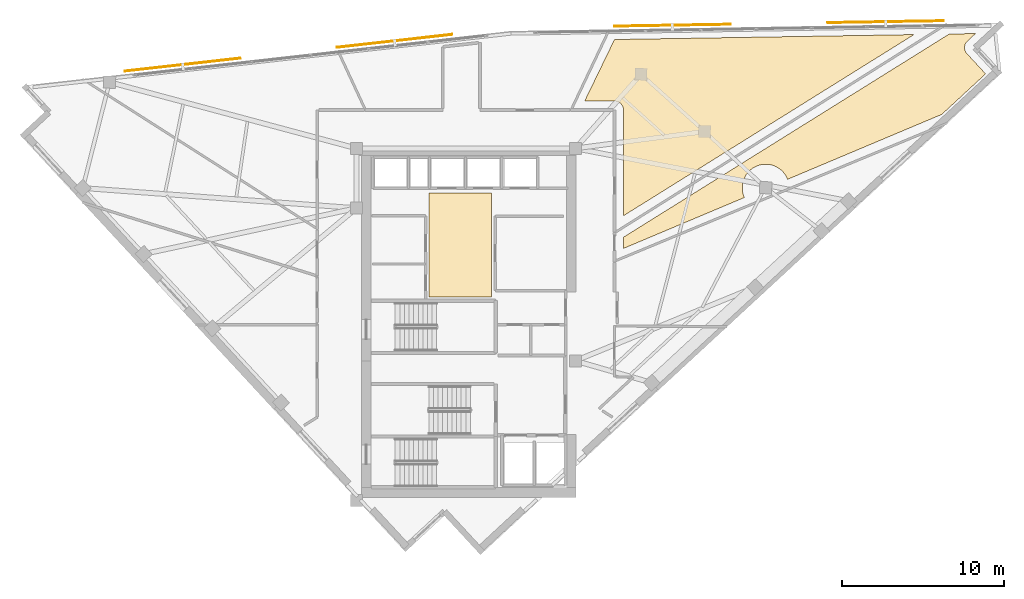
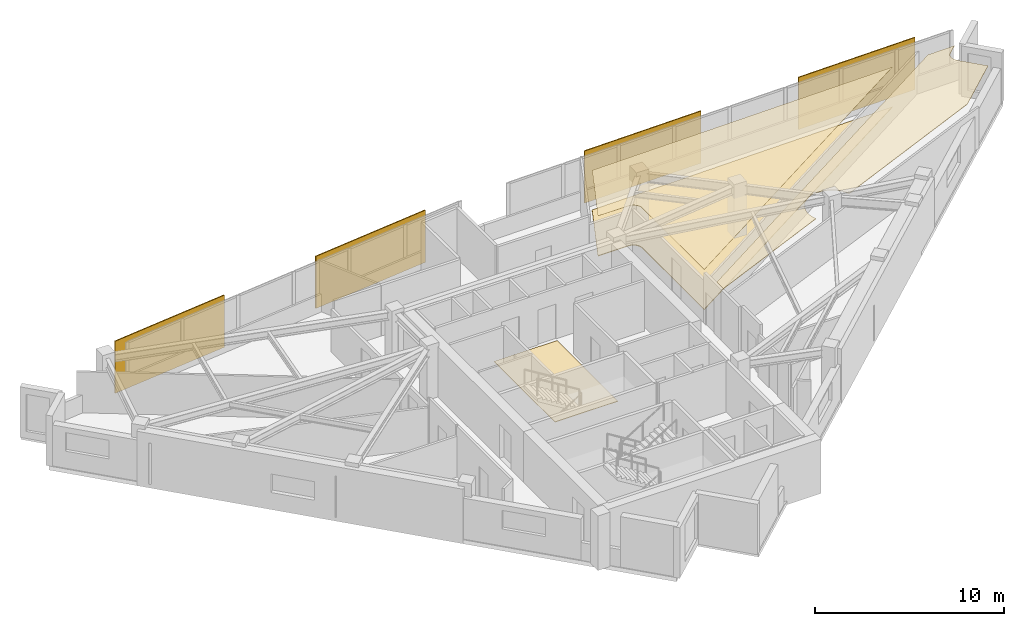
# One storey, part 13 of 13: 4 coverings, 4 shading devices.
"""IFC4 building model written with IfcOpenShell, lengths in metres."""

from ifc_helpers import new_model, si_unit, direction, frame, origin, origin_2d, place, context, subcontext, project, spatial, polyline, rectangle, outline, extrude, material, layer, layer_set, type_object, element, save


model = new_model("IFC4")

# Units and contexts
model_context = context("Model", 3, precision=1e-05, world=origin(), true_north=direction((0.0, 1.0)))
body_context = subcontext(model_context, "Body", "Model", "MODEL_VIEW")
ifc_project = project(units=[si_unit("LENGTHUNIT", "METRE"), si_unit("AREAUNIT", "SQUARE_METRE"), si_unit("VOLUMEUNIT", "CUBIC_METRE"), si_unit("PLANEANGLEUNIT", "RADIAN"), si_unit("MASSUNIT", "GRAM", prefix="KILO")], contexts=[model_context])

# Site, building, storey
site_placement = place(None, origin())
site = spatial("IfcSite", under=ifc_project, at=site_placement, CompositionType="ELEMENT")
building_placement = place(site_placement, origin())
building = spatial("IfcBuilding", under=site, at=building_placement, Name="Narakoshi Arena Tower", CompositionType="ELEMENT")
storey_placement = place(building_placement, frame((0.0, 0.0, 271.300048828125)))
storey = spatial("IfcBuildingStorey", under=building, at=storey_placement, Name="L74", CompositionType="ELEMENT", Elevation=271.300048828125)

# Coverings
ifc_material_1 = material(Name="Acoustic mineral-fibre ceiling tile")
ifc_layer_1 = layer(ifc_material_1, 0.02001953125)
ifc_layer_set_1 = layer_set([ifc_layer_1], Name="Acoustic mineral-fibre ceiling tile")
covering_type_1 = type_object("IfcCoveringType", Name="COV-CLG-AC20", PredefinedType="CEILING", material=ifc_layer_set_1)
covering_1_placement = place(storey_placement, frame((0.0, 0.0, 2.58984375)))
element("IfcCovering", 1, at=covering_1_placement, inside=storey, type_object=covering_type_1, Name="L74 Suspended Acoustic Ceiling 1", PredefinedType="CEILING", context=body_context, shape_type="SweptSolid", body=[
    extrude(outline(polyline([(88.5263671875, 52.328369140625), (88.5263671875, 58.87646484375), (88.523681640625, 58.930419921875), (88.515869140625, 58.983642578125), (88.502685546875, 59.0361328125), (88.484619140625, 59.0869140625), (88.46142578125, 59.1357421875), (88.43359375, 59.181884765625), (88.401611328125, 59.225341796875), (88.365234375, 59.265380859375), (88.3251953125, 59.301513671875), (88.281982421875, 59.333740234375), (88.235595703125, 59.361572265625), (88.18701171875, 59.384521484375), (88.135986328125, 59.402587890625), (88.083740234375, 59.415771484375), (88.0302734375, 59.423828125), (87.976318359375, 59.426513671875), (86.123291015625, 59.426513671875), (87.97021484375, 63.238525390625), (106.50927734375, 63.54345703125), (88.5263671875, 52.328369140625)])), origin(), (0.0, 0.0, 1.0), 0.02001953125),
])
ifc_material_2 = material(Name="Slatted oak acoustic timber baffle", Category="wood")
ifc_layer_2 = layer(ifc_material_2, 0.034912109375)
ifc_layer_set_2 = layer_set([ifc_layer_2], Name="Slatted oak acoustic timber baffle")
covering_type_2 = type_object("IfcCoveringType", Name="COV-CLG-WD35", PredefinedType="CEILING", material=ifc_layer_set_2)
covering_2_placement = place(storey_placement, frame((0.0, 0.0, 2.574951171875)))
element("IfcCovering", 2, at=covering_2_placement, inside=storey, type_object=covering_type_2, Name="L74 Suspended Acoustic Ceiling 2", PredefinedType="CEILING", context=body_context, shape_type="SweptSolid", body=[
    extrude(outline(polyline([(109.776611328125, 63.10205078125), (109.742919921875, 63.06005859375), (109.71337890625, 63.014892578125), (109.688232421875, 62.967041015625), (109.668212890625, 62.9169921875), (109.653076171875, 62.865234375), (109.64306640625, 62.81201171875), (109.63818359375, 62.75830078125), (109.638916015625, 62.704345703125), (109.64453125, 62.65087890625), (109.655517578125, 62.597900390625), (109.671875, 62.54638671875), (109.69287109375, 62.496826171875), (109.71875, 62.449462890625), (109.749267578125, 62.40478515625), (109.783935546875, 62.363525390625), (110.94140625, 61.111328125), (108.2265625, 58.60205078125), (98.68212890625, 54.58251953125), (98.668701171875, 54.620361328125), (98.60791015625, 54.7490234375), (98.53466796875, 54.87109375), (98.449951171875, 54.9853515625), (98.354248046875, 55.0908203125), (98.248779296875, 55.186279296875), (98.134521484375, 55.27099609375), (98.012451171875, 55.34423828125), (97.8837890625, 55.405029296875), (97.75, 55.453125), (97.61181640625, 55.487548828125), (97.47119140625, 55.508544921875), (97.3291015625, 55.515380859375), (97.18701171875, 55.508544921875), (97.046142578125, 55.487548828125), (96.908203125, 55.453125), (96.774169921875, 55.405029296875), (96.6455078125, 55.34423828125), (96.5234375, 55.27099609375), (96.4091796875, 55.186279296875), (96.3037109375, 55.0908203125), (96.2080078125, 54.9853515625), (96.123291015625, 54.87109375), (96.05029296875, 54.7490234375), (95.989501953125, 54.620361328125), (95.94140625, 54.486328125), (95.906982421875, 54.348388671875), (95.885986328125, 54.20751953125), (95.87890625, 54.0654296875), (95.885986328125, 53.92333984375), (95.906982421875, 53.78271484375), (95.94140625, 53.64453125), (95.989501953125, 53.510498046875), (96.013916015625, 53.458984375), (88.5263671875, 50.305908203125), (88.5263671875, 51.003662109375), (108.69091796875, 63.579345703125), (110.31787109375, 63.606201171875), (109.814453125, 63.140625), (109.776611328125, 63.10205078125)])), origin(), (0.0, 0.0, 1.0), 0.034912109375),
])
ifc_material_3 = material(Name="Raised steel access floor panel", Category="steel")
ifc_layer_3 = layer(ifc_material_3, 0.044921875)
ifc_layer_set_3 = layer_set([ifc_layer_3], Name="Raised steel access floor panel")
covering_type_3 = type_object("IfcCoveringType", Name="COV-FLR-RF45", PredefinedType="FLOORING", material=ifc_layer_set_3)
covering_3_placement = place(storey_placement, origin())
element("IfcCovering", 3, at=covering_3_placement, inside=storey, type_object=covering_type_3, Name="L74 Raised Steel Access Floor", PredefinedType="FLOORING", context=body_context, shape_type="SweptSolid", body=[
    extrude(outline(polyline([(88.5263671875, 52.328369140625), (88.5263671875, 58.87646484375), (88.523681640625, 58.930419921875), (88.515869140625, 58.983642578125), (88.502685546875, 59.0361328125), (88.484619140625, 59.0869140625), (88.46142578125, 59.1357421875), (88.43359375, 59.181884765625), (88.401611328125, 59.225341796875), (88.365234375, 59.265380859375), (88.3251953125, 59.301513671875), (88.281982421875, 59.333740234375), (88.235595703125, 59.361572265625), (88.18701171875, 59.384521484375), (88.135986328125, 59.402587890625), (88.083740234375, 59.415771484375), (88.0302734375, 59.423828125), (87.976318359375, 59.426513671875), (86.123291015625, 59.426513671875), (87.97021484375, 63.238525390625), (106.50927734375, 63.54345703125), (88.5263671875, 52.328369140625)])), origin(), (0.0, 0.0, 1.0), 0.044921875),
])
ifc_material_4 = material(Name="Honed granite stone paving", Category="masonry")
ifc_layer_4 = layer(ifc_material_4, 0.030029296875)
ifc_layer_set_4 = layer_set([ifc_layer_4], Name="Honed granite stone paving")
covering_type_4 = type_object("IfcCoveringType", Name="COV-FLR-ST30", PredefinedType="FLOORING", material=ifc_layer_set_4)
covering_4_placement = place(storey_placement, origin())
element("IfcCovering", 4, at=covering_4_placement, inside=storey, type_object=covering_type_4, Name="L74 Lift Lobby Granite Flooring", PredefinedType="FLOORING", context=body_context, shape_type="SweptSolid", body=[
    extrude(outline(polyline([(76.5, 47.300048828125), (80.35009765625, 47.300048828125), (80.35009765625, 53.75), (76.5, 53.75), (76.5, 47.300048828125)])), origin(), (0.0, 0.0, 1.0), 0.030029296875),
])

# Shading devices
ifc_material_5 = material(Name="Perforated bronze ceramic-metal composite")
ifc_layer_5 = layer(ifc_material_5, 0.06005859375)
ifc_layer_set_5 = layer_set([ifc_layer_5], Name="Perforated bronze ceramic-metal composite")
shading_device_type = type_object("IfcShadingDeviceType", Name="SHD-SCR-BRZ2", PredefinedType="USERDEFINED", material=ifc_layer_set_5)
for number, where, z_axis, x_axis, name in (
    (5, (104.75439453125, 64.334716796875, 0.0), (0.0, 0.0, 1.0), (-0.999864849778, -0.016440260879, 0.0), "L74 Perforated Bronze Solar Screen 1-1"),
    (6, (91.556396484375, 64.11767578125, 0.0), (0.0, 0.0, 1.0), (-0.999864849778, -0.016440260879, 0.0), "L74 Perforated Bronze Solar Screen 1-2"),
    (7, (74.3623046875, 63.149658203125, 0.0), (0.0, 0.0, 1.0), (-0.993775698738, -0.111399553846, 0.0), "L74 Perforated Bronze Solar Screen 2-1"),
    (8, (61.24462890625, 61.67919921875, 0.0), (0.0, 0.0, 1.0), (-0.993775698738, -0.111399553846, 0.0), "L74 Perforated Bronze Solar Screen 2-2"),
):
    element("IfcShadingDevice", number, at=place(storey_placement, frame(where, z_axis=z_axis, x_axis=x_axis)), inside=storey, type_object=shading_device_type, Name=name, ObjectType="SOLAR SCREEN", PredefinedType="USERDEFINED", context=body_context, shape_type="SweptSolid", body=[
        extrude(rectangle(XDim=7.199951171875, YDim=0.06005859375, at=origin_2d()), origin(), (0.0, 0.0, 1.0), 3.3701171875),
    ])

save(model, "model.ifc")
